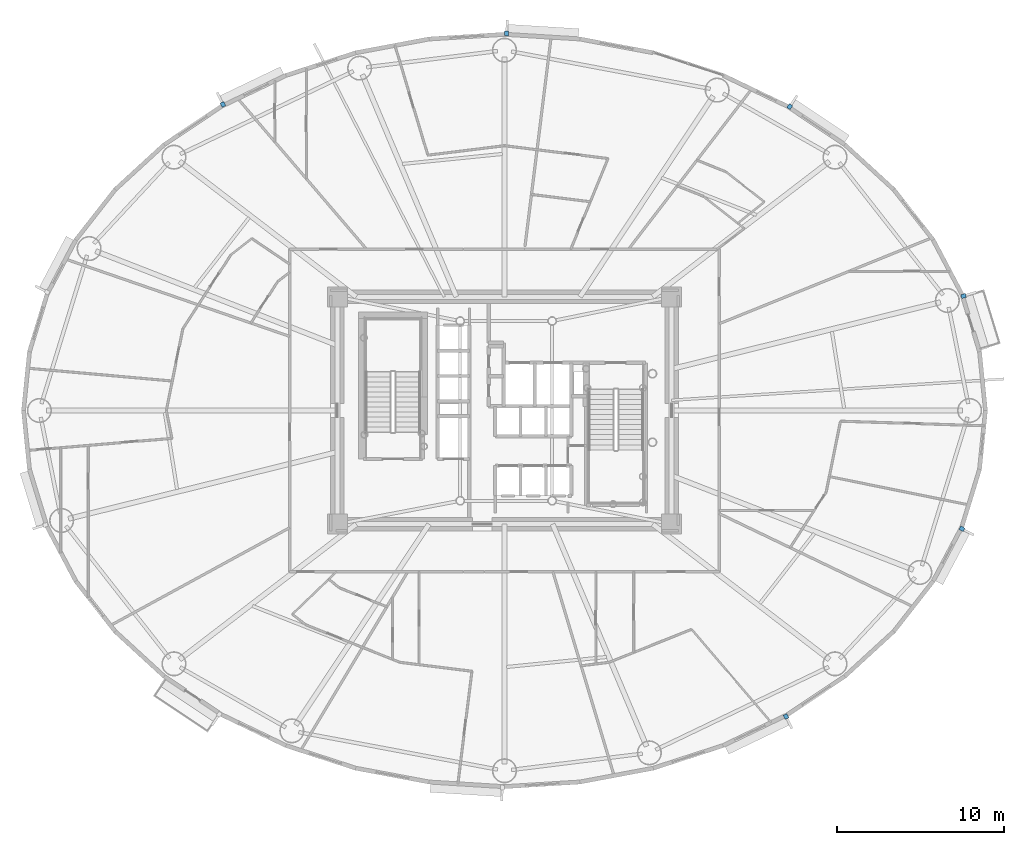
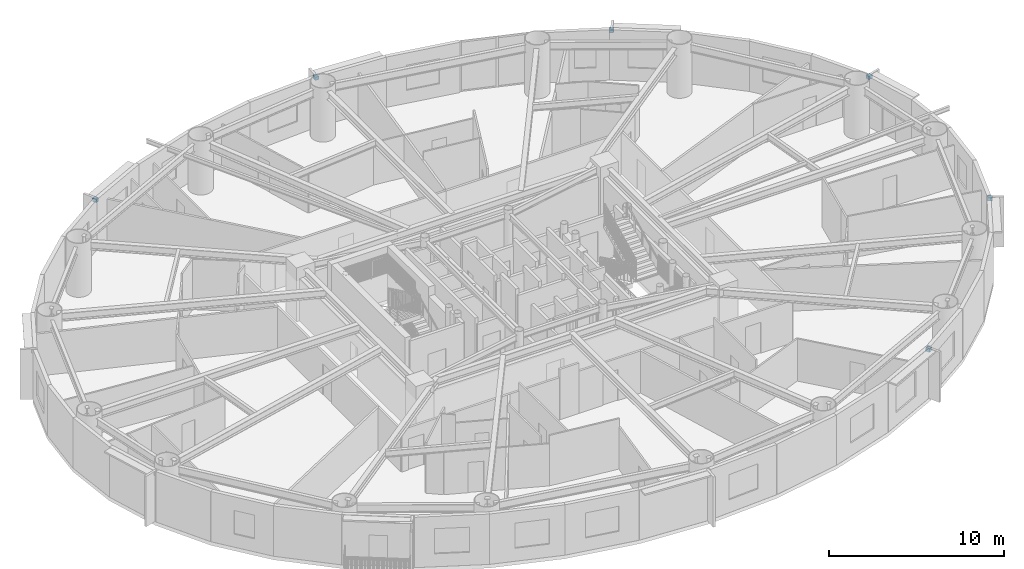
# One storey, part 12 of 18: 6 discrete accessories.
"""IFC4 building model written with IfcOpenShell, lengths in metres."""

import ifcopenshell
import ifcopenshell.guid

model = None  # the IFC model being written
_history = None  # IfcOwnerHistory: only IFC2X3 demands one
_inside = {}  # id of a spatial element -> (the spatial element, [elements in it])
_under = {}  # id of a project, library or spatial element -> (it, [spatial elements below it])
_declared = {}  # id of a project -> (the project, [libraries it declares])
_typed = {}  # id of a type object -> (the type object, [elements of that type])
_made_of = {}  # id of a material, layer set ... -> (it, [elements and type objects made of it])


def new_model(schema):
    """Start an empty IFC model of exactly this schema.

    Asked for "IFC4X3", IfcOpenShell would pick the latest addendum, in which some entities
    have other attributes; the version numbers below select the first issue.
    IFC2X3 requires an IfcOwnerHistory on every rooted entity: one is made here for all.
    """
    global model, _history
    if schema == "IFC4X3":
        model = ifcopenshell.file(schema_version=(4, 3, 0, 0))
    else:
        model = ifcopenshell.file(schema=schema)
    _inside.clear()
    _under.clear()
    _declared.clear()
    _typed.clear()
    _made_of.clear()
    _history = None
    if model.schema == "IFC2X3":
        org = make("IfcOrganization", Name="unknown")
        user = make(
            "IfcPersonAndOrganization",
            ThePerson=make("IfcPerson", FamilyName="unknown"),
            TheOrganization=org,
        )
        app = make(
            "IfcApplication",
            ApplicationDeveloper=org,
            Version="unknown",
            ApplicationFullName="unknown",
            ApplicationIdentifier="unknown",
        )
        _history = make(
            "IfcOwnerHistory",
            OwningUser=user,
            OwningApplication=app,
            ChangeAction="ADDED",
            CreationDate=0,
        )
    return model


def make(cls, **values):
    """One entity of the class cls with the attributes given. An attribute that is None is left unset."""
    return model.create_entity(
        cls, **{name: value for name, value in values.items() if value is not None}
    )


def rooted(cls, **values):
    """An entity with a GlobalId (a new one), such as an element, a storey or a relation."""
    return make(cls, GlobalId=ifcopenshell.guid.new(), OwnerHistory=_history, **values)


def si_unit(unit_type, name, prefix=None):
    """IfcSIUnit, for example si_unit("LENGTHUNIT", "METRE", prefix="MILLI")."""
    return make("IfcSIUnit", UnitType=unit_type, Prefix=prefix, Name=name)


def assignment(units):
    """IfcUnitAssignment: the units of a project."""
    return None if units is None else make("IfcUnitAssignment", Units=units)


def point(xyz):
    """IfcCartesianPoint."""
    return None if xyz is None else make("IfcCartesianPoint", Coordinates=xyz)


def direction(xyz):
    """IfcDirection."""
    return None if xyz is None else make("IfcDirection", DirectionRatios=xyz)


def frame(location, z_axis=None, x_axis=None):
    """IfcAxis2Placement3D, a coordinate frame: its origin and axes. An axis left out is left unset."""
    return make(
        "IfcAxis2Placement3D",
        Location=point(location),
        Axis=direction(z_axis),
        RefDirection=direction(x_axis),
    )


def frame_2d(location, x_axis=None):
    """IfcAxis2Placement2D, a coordinate frame in the plane: its origin and x axis."""
    return make(
        "IfcAxis2Placement2D", Location=point(location), RefDirection=direction(x_axis)
    )


def origin():
    """The frame at (0, 0, 0) with its axes left unset."""
    return frame((0.0, 0.0, 0.0))


def origin_2d():
    """The frame at (0, 0) in the plane with its x axis left unset."""
    return frame_2d((0.0, 0.0))


def place(relative_to, where):
    """IfcLocalPlacement: puts the frame where relative to a parent placement (None: the world)."""
    return make(
        "IfcLocalPlacement", PlacementRelTo=relative_to, RelativePlacement=where
    )


def context(
    kind, dimensions, precision=None, world=None, true_north=None, identifier=None
):
    """IfcGeometricRepresentationContext, for example the 3D "Model" context."""
    return make(
        "IfcGeometricRepresentationContext",
        ContextIdentifier=identifier,
        ContextType=kind,
        CoordinateSpaceDimension=dimensions,
        Precision=precision,
        WorldCoordinateSystem=world,
        TrueNorth=true_north,
    )


def subcontext(parent, identifier, kind, view, scale=None):
    """IfcGeometricRepresentationSubContext, for example "Body" below "Model"."""
    return make(
        "IfcGeometricRepresentationSubContext",
        ContextIdentifier=identifier,
        ContextType=kind,
        ParentContext=parent,
        TargetScale=scale,
        TargetView=view,
    )


def project(units=None, contexts=None):
    """IfcProject with its units and contexts."""
    return rooted(
        "IfcProject",
        Name="project",
        RepresentationContexts=contexts,
        UnitsInContext=assignment(units),
    )


def spatial(cls, under=None, at=None, **own):
    """A site, building, storey or space (cls), placed at a placement, below another one or the project."""
    s = rooted(cls, ObjectPlacement=at, **own)
    if under is not None:
        _under.setdefault(under.id(), (under, []))[1].append(s)
    return s


def profile(cls, at=None, kind="AREA", **sizes):
    """A parametric profile (cls). Its sizes go by their IFC names, for example OverallWidth=200.0."""
    return make(cls, ProfileType=kind, Position=at, **sizes)


def rectangle(**sizes):
    """IfcRectangleProfileDef."""
    return profile("IfcRectangleProfileDef", **sizes)


def extrude(swept, where, along, depth):
    """IfcExtrudedAreaSolid: the profile swept, set in the frame where, extruded along a direction by depth."""
    return make(
        "IfcExtrudedAreaSolid",
        SweptArea=swept,
        Position=where,
        ExtrudedDirection=direction(along),
        Depth=depth,
    )


def shape(context_of_items, identifier, shape_type, items):
    """IfcShapeRepresentation: the items that make up one representation, for example the "Body"."""
    return make(
        "IfcShapeRepresentation",
        ContextOfItems=context_of_items,
        RepresentationIdentifier=identifier,
        RepresentationType=shape_type,
        Items=items,
    )


def source(mapping_origin, context_of_items, identifier, shape_type, items):
    """IfcRepresentationMap: a shape defined once, which mapped items show again and again."""
    return make(
        "IfcRepresentationMap",
        MappingOrigin=mapping_origin,
        MappedRepresentation=shape(context_of_items, identifier, shape_type, items),
    )


def transform(
    local_origin,
    x_axis=None,
    y_axis=None,
    z_axis=None,
    scale=None,
    scale2=None,
    scale3=None,
    uniform=True,
):
    """IfcCartesianTransformationOperator3D, or its non-uniform kind. x_axis, y_axis, z_axis: its Axis1, 2, 3."""
    if uniform:
        return make(
            "IfcCartesianTransformationOperator3D",
            Axis1=direction(x_axis),
            Axis2=direction(y_axis),
            LocalOrigin=point(local_origin),
            Scale=scale,
            Axis3=direction(z_axis),
        )
    return make(
        "IfcCartesianTransformationOperator3DnonUniform",
        Axis1=direction(x_axis),
        Axis2=direction(y_axis),
        LocalOrigin=point(local_origin),
        Scale=scale,
        Axis3=direction(z_axis),
        Scale2=scale2,
        Scale3=scale3,
    )


def mapped(mapping_source, mapping_target):
    """IfcMappedItem: shows the shape of a source again, moved by a transform."""
    return make(
        "IfcMappedItem", MappingSource=mapping_source, MappingTarget=mapping_target
    )


def material(Name=None, Category=None):
    """IfcMaterial."""
    return make("IfcMaterial", Name=Name, Category=Category)


def made_of(thing, what):
    """Note that an element or type object is made of a material, layer set ...; save() writes the relation."""
    if what is not None:
        _made_of.setdefault(what.id(), (what, []))[1].append(thing)
    return thing


def type_object(cls, material=None, **own):
    """A type object (cls), such as IfcWallType, which elements share."""
    return made_of(rooted(cls, **own), material)


def element(
    cls,
    number,
    at=None,
    inside=None,
    cuts=None,
    type_object=None,
    material=None,
    context=None,
    identifier="Body",
    shape_type=None,
    held_by="IfcProductDefinitionShape",
    body=None,
    shapes=None,
    **own,
):
    """One element of the class cls, such as IfcWall. Its Tag is "e" and its number.

    at: its placement. inside: the storey or other place that contains it. cuts: it is an
    opening in that element (IfcRelVoidsElement). A single representation is given by context,
    identifier, shape_type and body (its items); several are given by shapes. held_by: the class
    of the entity that holds the representations. save() writes the other relations.
    """
    e = rooted(cls, Tag="e%d" % number, ObjectPlacement=at, **own)
    if body is not None:
        shapes = [shape(context, identifier, shape_type, body)]
    if shapes is not None:
        e.Representation = make(held_by, Representations=shapes)
    if inside is not None:
        _inside.setdefault(inside.id(), (inside, []))[1].append(e)
    if cuts is not None:
        rooted(
            "IfcRelVoidsElement", RelatingBuildingElement=cuts, RelatedOpeningElement=e
        )
    if type_object is not None:
        _typed.setdefault(type_object.id(), (type_object, []))[1].append(e)
    return made_of(e, material)


def aggregate(whole, parts):
    """IfcRelAggregates: a whole, such as a stair, and the parts it consists of."""
    return rooted("IfcRelAggregates", RelatingObject=whole, RelatedObjects=parts)


def save(model, path):
    """Write the relations noted so far, then the file.

    IfcRelAggregates (storeys below a building ...), IfcRelContainedInSpatialStructure (elements
    in a storey), IfcRelDefinesByType, IfcRelAssociatesMaterial and IfcRelDeclares: one each for
    every whole, place, type object, material and project.
    """
    for whole, parts in _under.values():
        aggregate(whole, parts)
    for where, things in _inside.values():
        rooted(
            "IfcRelContainedInSpatialStructure",
            RelatedElements=things,
            RelatingStructure=where,
        )
    for kind, things in _typed.values():
        rooted("IfcRelDefinesByType", RelatedObjects=things, RelatingType=kind)
    for what, things in _made_of.values():
        rooted("IfcRelAssociatesMaterial", RelatedObjects=things, RelatingMaterial=what)
    for by, libraries in _declared.values():
        rooted("IfcRelDeclares", RelatingContext=by, RelatedDefinitions=libraries)
    model.write(path)


model = new_model("IFC4")

# Units and contexts
model_context = context("Model", 3, precision=1e-05, world=origin(), true_north=direction((0.0, 1.0)))
body_context = subcontext(model_context, "Body", "Model", "MODEL_VIEW")
ifc_project = project(units=[si_unit("LENGTHUNIT", "METRE"), si_unit("AREAUNIT", "SQUARE_METRE"), si_unit("VOLUMEUNIT", "CUBIC_METRE"), si_unit("PLANEANGLEUNIT", "RADIAN"), si_unit("MASSUNIT", "GRAM", prefix="KILO")], contexts=[model_context])

# Site, building, storey
site_placement = place(None, origin())
site = spatial("IfcSite", under=ifc_project, at=site_placement, CompositionType="ELEMENT")
building_placement = place(site_placement, origin())
building = spatial("IfcBuilding", under=site, at=building_placement, Name="Linh Dai School and Residence Tower", CompositionType="ELEMENT")
storey_placement = place(building_placement, frame((0.0, 0.0, 100.949951171875)))
storey = spatial("IfcBuildingStorey", under=building, at=storey_placement, Name="L23", CompositionType="ELEMENT", Elevation=100.949951171875)

# Discrete accessories
ifc_material = material(Name="Structural Steel S355JR", Category="steel")
discrete_accessory_type = type_object("IfcDiscreteAccessoryType", Name="ACC-BRK-S355", PredefinedType="BRACKET", material=ifc_material)
shared_shape = source(origin(), body_context, "Body", "SweptSolid", [
    extrude(rectangle(XDim=0.280029296875, YDim=0.239990234375, at=origin_2d()), origin(), (0.0, 0.0, 1.0), 0.219970703125),
])
for number, where, z_axis, x_axis, name in (
    (1, (63.462646484375, 33.847900390625, 3.25), (0.0, 0.0, 1.0), (0.956071511028, 0.293133528962, 0.0), "L23 Facade Frame Anchor Bracket 02"),
    (2, (53.058349609375, 45.1826171875, 3.25), (0.0, 0.0, 1.0), (0.555913198527, 0.831240347736, 0.0), "L23 Facade Frame Anchor Bracket 06"),
    (3, (36.12353515625, 49.5576171875, 3.25), (0.0, 0.0, 1.0), (0.061509255091, 0.998106513123, 0.0), "L23 Facade Frame Anchor Bracket 10"),
    (4, (19.156982421875, 45.305419921875, 3.25), (0.0, 0.0, 1.0), (-0.432617589064, 0.901577518371, 0.0), "L23 Facade Frame Anchor Bracket 14"),
    (5, (52.843017578125, 8.694580078125, 3.25), (0.0, 0.0, 1.0), (0.432617589064, -0.901577518371, 0.0), "L23 Facade Frame Anchor Bracket 34"),
    (6, (63.366943359375, 19.920654296875, 3.25), (0.0, 0.0, 1.0), (0.883942180016, -0.467596217252, 0.0), "L23 Facade Frame Anchor Bracket 38"),
):
    element("IfcDiscreteAccessory", number, at=place(storey_placement, frame(where, z_axis=z_axis, x_axis=x_axis)), inside=storey, type_object=discrete_accessory_type, Name=name, PredefinedType="BRACKET", context=body_context, shape_type="MappedRepresentation", body=[
        mapped(shared_shape, transform((0.0, 0.0, 0.0), x_axis=(1.0, 0.0, 0.0), y_axis=(0.0, 1.0, 0.0), z_axis=(0.0, 0.0, 1.0), scale=1.0)),
    ])

save(model, "model.ifc")
